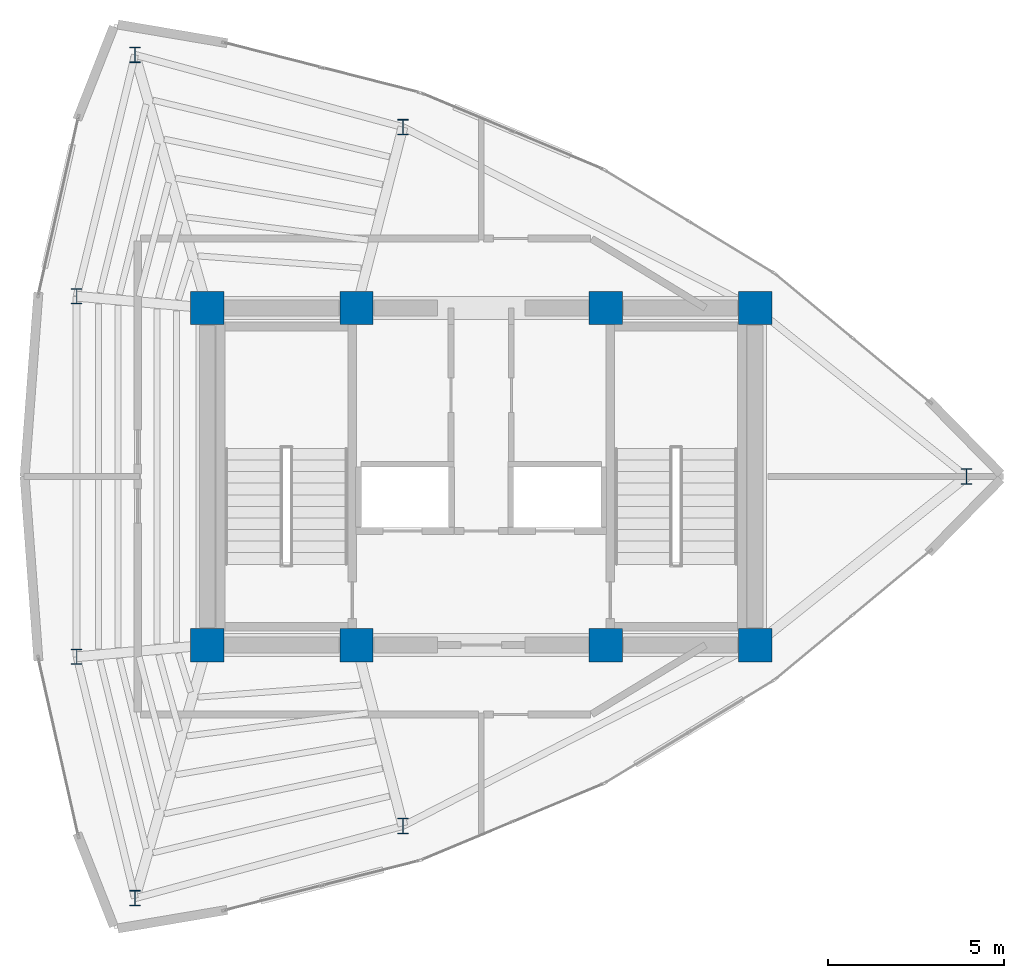
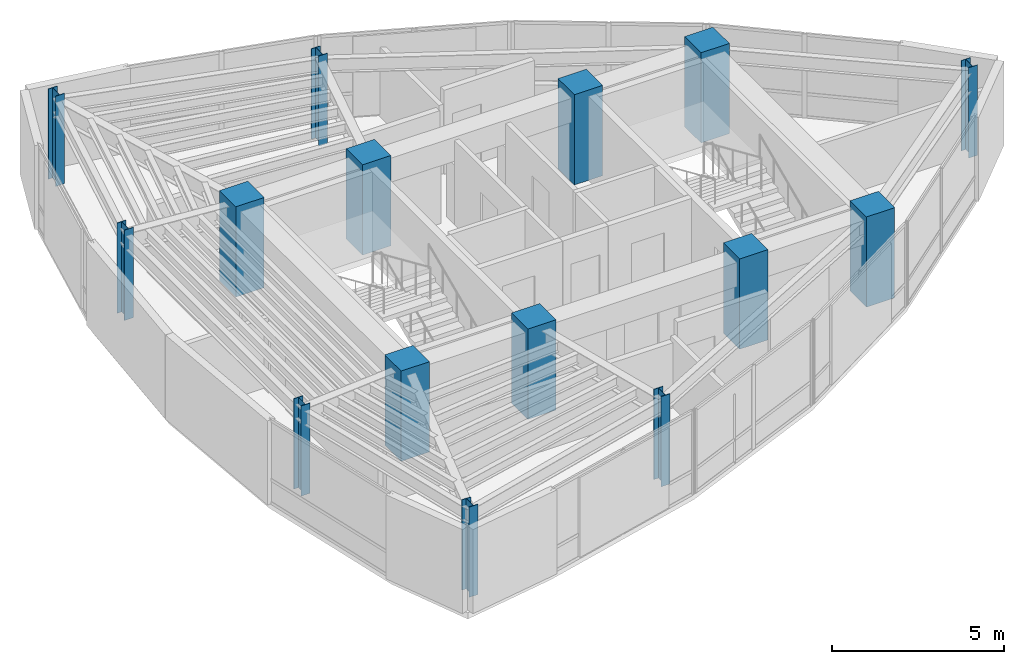
# One storey, part 1 of 14: 15 columns.
"""IFC4 building model written with IfcOpenShell, lengths in metres."""

from ifc_helpers import new_model, si_unit, direction, frame, origin, origin_2d, place, context, subcontext, project, spatial, rectangle, i_section, extrude, material, material_profile, profile_set, type_object, element, save


model = new_model("IFC4")

# Units and contexts
model_context = context("Model", 3, precision=1e-05, world=origin(), true_north=direction((0.0, 1.0)))
body_context = subcontext(model_context, "Body", "Model", "MODEL_VIEW")
ifc_project = project(units=[si_unit("LENGTHUNIT", "METRE"), si_unit("AREAUNIT", "SQUARE_METRE"), si_unit("VOLUMEUNIT", "CUBIC_METRE"), si_unit("PLANEANGLEUNIT", "RADIAN"), si_unit("MASSUNIT", "GRAM", prefix="KILO")], contexts=[model_context])

# Site, building, storey
site_placement = place(None, origin())
site = spatial("IfcSite", under=ifc_project, at=site_placement, CompositionType="ELEMENT")
building_placement = place(site_placement, origin())
building = spatial("IfcBuilding", under=site, at=building_placement, Name="Menara Vayukalpa", CompositionType="ELEMENT")
storey_placement = place(building_placement, frame((0.0, 0.0, 302.419921875)))
storey = spatial("IfcBuildingStorey", under=building, at=storey_placement, Name="L77", CompositionType="ELEMENT", Elevation=302.419921875)

# Columns
ifc_material_1 = material(Name="Concrete C60/75", Category="concrete")
ifc_material_profile_1 = material_profile(ifc_material_1, rectangle(XDim=0.949951171875, YDim=0.949951171875, at=origin_2d()), Name="RC 950x950")
ifc_profile_set_1 = profile_set([ifc_material_profile_1], Name="Concrete C60/75")
column_type_1 = type_object("IfcColumnType", Name="COL-CC2", PredefinedType="COLUMN", material=ifc_profile_set_1)
for number, where, z_axis, x_axis, name in (
    (1, (17.800048828125, 17.199951171875, 0.0), (0.0, 0.0, 1.0), (1.0, 0.0, 0.0), "L77 Core Pilaster Column CC1"),
    (2, (22.050048828125, 17.199951171875, 0.0), (0.0, 0.0, 1.0), (1.0, 0.0, 0.0), "L77 Core Pilaster Column CC2"),
    (3, (29.14990234375, 17.199951171875, 0.0), (0.0, 0.0, 1.0), (1.0, 0.0, 0.0), "L77 Core Pilaster Column CC3"),
    (4, (33.39990234375, 17.199951171875, 0.0), (0.0, 0.0, 1.0), (1.0, 0.0, 0.0), "L77 Core Pilaster Column CC4"),
    (5, (17.800048828125, 26.800048828125, 0.0), (0.0, 0.0, 1.0), (1.0, 0.0, 0.0), "L77 Core Pilaster Column CC5"),
    (6, (22.050048828125, 26.800048828125, 0.0), (0.0, 0.0, 1.0), (1.0, 0.0, 0.0), "L77 Core Pilaster Column CC6"),
    (7, (29.14990234375, 26.800048828125, 0.0), (0.0, 0.0, 1.0), (1.0, 0.0, 0.0), "L77 Core Pilaster Column CC7"),
    (8, (33.39990234375, 26.800048828125, 0.0), (0.0, 0.0, 1.0), (1.0, 0.0, 0.0), "L77 Core Pilaster Column CC8"),
):
    element("IfcColumn", number, at=place(storey_placement, frame(where, z_axis=z_axis, x_axis=x_axis)), inside=storey, type_object=column_type_1, Name=name, PredefinedType="COLUMN", context=body_context, shape_type="SweptSolid", body=[
        extrude(rectangle(XDim=0.949951171875, YDim=0.949951171875, at=origin_2d()), origin(), (0.0, 0.0, 1.0), 3.2001953125),
    ])
ifc_material_2 = material(Name="Steel S355", Category="steel")
ifc_material_profile_2 = material_profile(ifc_material_2, i_section(OverallWidth=0.300048828125, OverallDepth=0.43994140625, WebThickness=0.010986328125, FlangeThickness=0.01806640625, at=origin_2d()), Name="H 440x300x11x18")
ifc_profile_set_2 = profile_set([ifc_material_profile_2], Name="Steel S355")
column_type_2 = type_object("IfcColumnType", Name="COL-SC2", PredefinedType="COLUMN", material=ifc_profile_set_2)
for number, where, z_axis, x_axis, name in (
    (9, (39.4189453125, 22.0, 0.0), (0.0, 0.0, 1.0), (1.0, 0.0, 0.0), "L77 Perimeter Mega Column P01"),
    (10, (23.37060546875, 31.949462890625, 0.0), (0.0, 0.0, 1.0), (1.0, 0.0, 0.0), "L77 Perimeter Mega Column P03"),
    (11, (15.740478515625, 34.0078125, 0.0), (0.0, 0.0, 1.0), (1.0, 0.0, 0.0), "L77 Perimeter Mega Column P04"),
    (12, (14.081298828125, 27.1328125, 0.0), (0.0, 0.0, 1.0), (1.0, 0.0, 0.0), "L77 Perimeter Mega Column P05"),
    (13, (14.081298828125, 16.8671875, 0.0), (0.0, 0.0, 1.0), (1.0, 0.0, 0.0), "L77 Perimeter Mega Column P06"),
    (14, (15.740478515625, 9.9921875, 0.0), (0.0, 0.0, 1.0), (1.0, 0.0, 0.0), "L77 Perimeter Mega Column P07"),
    (15, (23.37060546875, 12.050537109375, 0.0), (0.0, 0.0, 1.0), (1.0, 0.0, 0.0), "L77 Perimeter Mega Column P08"),
):
    element("IfcColumn", number, at=place(storey_placement, frame(where, z_axis=z_axis, x_axis=x_axis)), inside=storey, type_object=column_type_2, Name=name, PredefinedType="COLUMN", context=body_context, shape_type="SweptSolid", body=[
        extrude(i_section(OverallWidth=0.300048828125, OverallDepth=0.43994140625, WebThickness=0.010986328125, FlangeThickness=0.01806640625, at=origin_2d()), origin(), (0.0, 0.0, 1.0), 3.2001953125),
    ])

save(model, "model.ifc")
